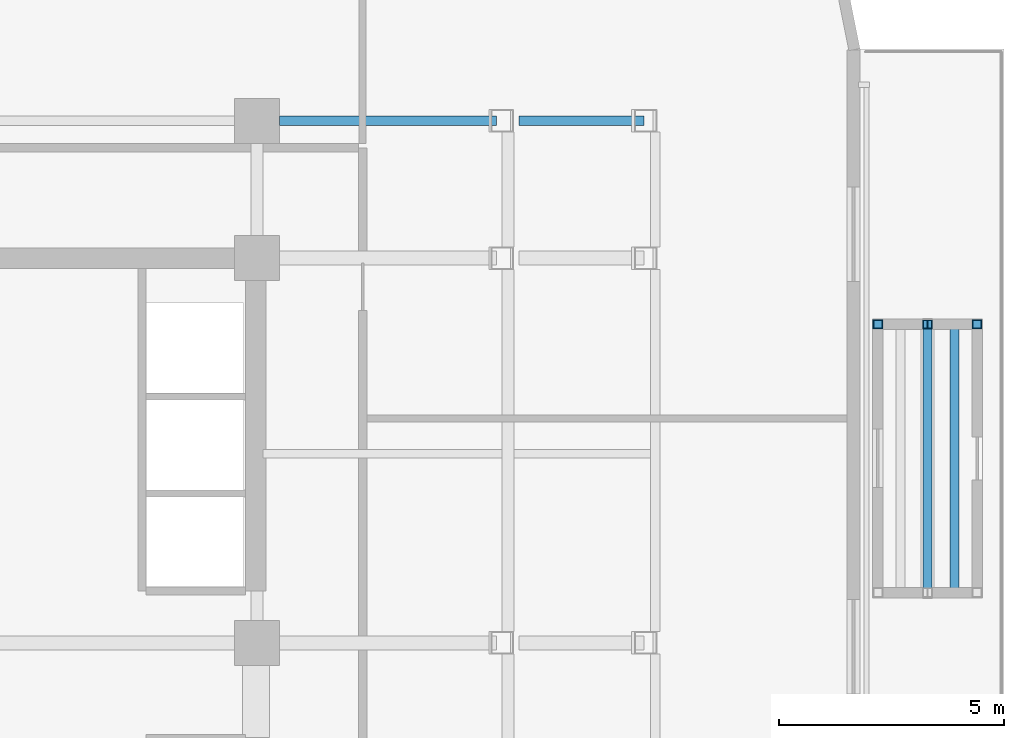
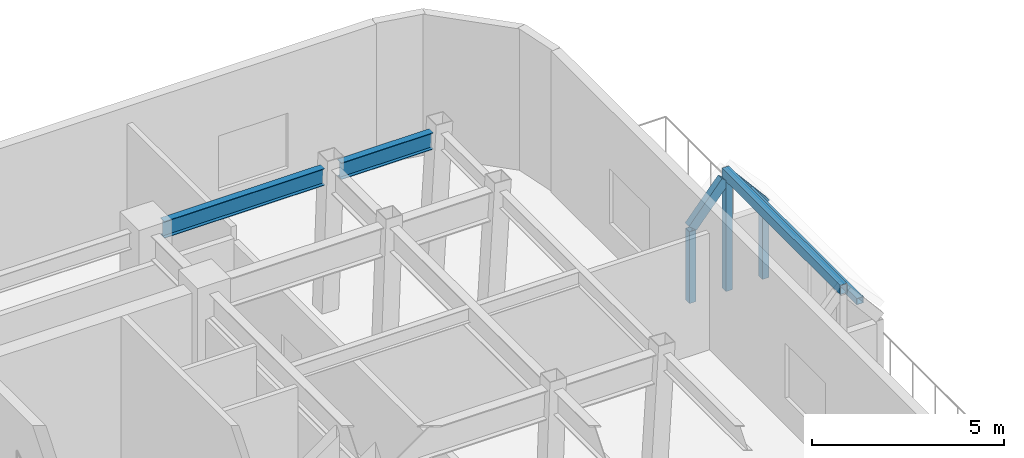
# One storey, part 6 of 18: 7 members, 2 beams.
"""IFC4 building model written with IfcOpenShell, lengths in metres."""

from ifc_helpers import new_model, si_unit, direction, frame, origin, origin_2d, place, context, subcontext, project, spatial, hollow_rectangle, i_section, extrude, material, material_profile, profile_set, type_object, element, save


model = new_model("IFC4")

# Units and contexts
model_context = context("Model", 3, precision=1e-05, world=origin(), true_north=direction((0.0, 1.0)))
body_context = subcontext(model_context, "Body", "Model", "MODEL_VIEW")
ifc_project = project(units=[si_unit("LENGTHUNIT", "METRE"), si_unit("AREAUNIT", "SQUARE_METRE"), si_unit("VOLUMEUNIT", "CUBIC_METRE"), si_unit("PLANEANGLEUNIT", "RADIAN"), si_unit("MASSUNIT", "GRAM", prefix="KILO")], contexts=[model_context])

# Site, building, storey
site_placement = place(None, origin())
site = spatial("IfcSite", under=ifc_project, at=site_placement, CompositionType="ELEMENT")
building_placement = place(site_placement, origin())
building = spatial("IfcBuilding", under=site, at=building_placement, Name="Ochreholt Gables", CompositionType="ELEMENT")
storey_placement = place(building_placement, frame((0.0, 0.0, 19.199951171875)))
storey = spatial("IfcBuildingStorey", under=building, at=storey_placement, Name="L04", CompositionType="ELEMENT", Elevation=19.199951171875)

# Beams
ifc_material = material(Name="Steel CSA G40.21 350W", Category="steel")
ifc_material_profile_1 = material_profile(ifc_material, i_section(OverallWidth=0.208984375, OverallDepth=0.532958984375, WebThickness=0.01025390625, FlangeThickness=0.015625, at=origin_2d()), Name="W530X92")
ifc_profile_set_1 = profile_set([ifc_material_profile_1], Name="Steel CSA G40.21 350W")
beam_type = type_object("IfcBeamType", Name="BM-SP-W530B", PredefinedType="SPANDREL", material=ifc_profile_set_1)
beam_1_placement = place(storey_placement, frame((35.69970703125, 41.800048828125, 4.233642578125), z_axis=(1.0, 0.0, 0.0), x_axis=(0.0, 1.0, 0.0)))
element("IfcBeam", 1, at=beam_1_placement, inside=storey, type_object=beam_type, Name="L04 Beam BG-L04-C2EM-Y6", PredefinedType="SPANDREL", context=body_context, shape_type="SweptSolid", body=[
    extrude(i_section(OverallWidth=0.208984375, OverallDepth=0.532958984375, WebThickness=0.01025390625, FlangeThickness=0.015625, at=origin_2d()), origin(), (0.0, 0.0, 1.0), 4.82666015625),
])
beam_2_placement = place(storey_placement, frame((41.025634765625, 41.800048828125, 4.233642578125), z_axis=(1.0, 0.0, 0.0), x_axis=(0.0, 1.0, 0.0)))
element("IfcBeam", 2, at=beam_2_placement, inside=storey, type_object=beam_type, Name="L04 Beam BG-L04-EMEE-Y6", PredefinedType="SPANDREL", context=body_context, shape_type="SweptSolid", body=[
    extrude(i_section(OverallWidth=0.208984375, OverallDepth=0.532958984375, WebThickness=0.01025390625, FlangeThickness=0.015625, at=origin_2d()), origin(), (0.0, 0.0, 1.0), 2.773681640625),
])

# Members
ifc_material_profile_2 = material_profile(ifc_material, hollow_rectangle(XDim=0.202880859375, YDim=0.202880859375, WallThickness=0.009521484375, at=origin_2d()), Name="HSS203X203X10")
ifc_profile_set_2 = profile_set([ifc_material_profile_2], Name="Steel CSA G40.21 350W")
member_type_1 = type_object("IfcMemberType", Name="MEM-GB-PR1", PredefinedType="PURLIN", material=ifc_profile_set_2)
member_1_placement = place(storey_placement, frame((50.700439453125, 31.39697265625, 2.974609375), z_axis=(0.0, 1.0, 0.0), x_axis=(-1.0, 0.0, 0.0)))
element("IfcMember", 3, at=member_1_placement, inside=storey, type_object=member_type_1, Name="L04 Gable East Purlin GB-04E2", PredefinedType="PURLIN", context=body_context, shape_type="SweptSolid", body=[
    extrude(hollow_rectangle(XDim=0.202880859375, YDim=0.202880859375, WallThickness=0.009521484375, at=origin_2d()), origin(), (0.0, 0.0, 1.0), 5.805908203125),
])
ifc_material_profile_3 = material_profile(ifc_material, hollow_rectangle(XDim=0.202880859375, YDim=0.202880859375, WallThickness=0.009521484375, at=origin_2d()), Name="HSS203X203X10")
ifc_profile_set_3 = profile_set([ifc_material_profile_3], Name="Steel CSA G40.21 350W")
member_type_2 = type_object("IfcMemberType", Name="MEM-GB-PT2", PredefinedType="POST", material=ifc_profile_set_3)
for number, where, z_axis, x_axis, name in (
    (4, (51.199951171875, 37.280029296875, 0.0), (0.0, 0.0, 1.0), (1.0, 0.0, 0.0), "L04 Gable Pavilion Post GB-04E2-P3"),
    (5, (49.0, 37.280029296875, 0.0), (0.0, 0.0, 1.0), (1.0, 0.0, 0.0), "L04 Gable Pavilion Post GB-04E2-P4"),
):
    element("IfcMember", number, at=place(storey_placement, frame(where, z_axis=z_axis, x_axis=x_axis)), inside=storey, type_object=member_type_2, Name=name, PredefinedType="POST", context=body_context, shape_type="SweptSolid", body=[
        extrude(hollow_rectangle(XDim=0.202880859375, YDim=0.202880859375, WallThickness=0.009521484375, at=origin_2d()), origin(), (0.0, 0.0, 1.0), 2.288330078125),
    ])
member_2_placement = place(storey_placement, frame((50.10009765625, 37.280029296875, 0.0), z_axis=(0.0, 0.0, 1.0), x_axis=(1.0, 0.0, 0.0)))
element("IfcMember", 6, at=member_2_placement, inside=storey, type_object=member_type_2, Name="L04 Gable Ridge Post GB-04E2-PRG2", PredefinedType="POST", context=body_context, shape_type="SweptSolid", body=[
    extrude(hollow_rectangle(XDim=0.202880859375, YDim=0.202880859375, WallThickness=0.009521484375, at=origin_2d()), origin(), (0.0, 0.0, 1.0), 3.530029296875),
])
ifc_material_profile_4 = material_profile(ifc_material, hollow_rectangle(XDim=0.202880859375, YDim=0.304931640625, WallThickness=0.0126953125, at=origin_2d()), Name="HSS305X203X13")
ifc_profile_set_4 = profile_set([ifc_material_profile_4], Name="Steel CSA G40.21 350W")
member_type_3 = type_object("IfcMemberType", Name="MEM-GB-RF1", PredefinedType="RAFTER", material=ifc_profile_set_4)
for number, where, z_axis, x_axis, name in (
    (7, (49.0, 37.280029296875, 2.36474609375), (0.645928085698, 0.0, 0.763398263102), (0.0, 1.0, 0.0), "L04 Gable West Rafter 2 GB-04E2"),
    (8, (51.199951171875, 37.280029296875, 2.36474609375), (-0.645928085698, 0.0, 0.763398263102), (0.0, -1.0, 0.0), "L04 Gable East Rafter 2 GB-04E2"),
):
    element("IfcMember", number, at=place(storey_placement, frame(where, z_axis=z_axis, x_axis=x_axis)), inside=storey, type_object=member_type_3, Name=name, PredefinedType="RAFTER", context=body_context, shape_type="SweptSolid", body=[
        extrude(hollow_rectangle(XDim=0.202880859375, YDim=0.304931640625, WallThickness=0.0126953125, at=origin_2d()), origin(), (0.0, 0.0, 1.0), 1.54638671875),
    ])
ifc_material_profile_5 = material_profile(ifc_material, hollow_rectangle(XDim=0.202880859375, YDim=0.304931640625, WallThickness=0.0126953125, at=origin_2d()), Name="HSS305X203X13")
ifc_profile_set_5 = profile_set([ifc_material_profile_5], Name="Steel CSA G40.21 350W")
member_type_4 = type_object("IfcMemberType", Name="MEM-GB-RF1E", PredefinedType="RAFTER", material=ifc_profile_set_5)
member_3_placement = place(storey_placement, frame((50.10009765625, 31.219970703125, 3.66455078125), z_axis=(0.0, 1.0, 0.0), x_axis=(-1.0, 0.0, 0.0)))
element("IfcMember", 9, at=member_3_placement, inside=storey, type_object=member_type_4, Name="L04 Gable Ridge Member GB-04E2", PredefinedType="RAFTER", context=body_context, shape_type="SweptSolid", body=[
    extrude(hollow_rectangle(XDim=0.202880859375, YDim=0.304931640625, WallThickness=0.0126953125, at=origin_2d()), origin(), (0.0, 0.0, 1.0), 6.159912109375),
])

save(model, "model.ifc")
